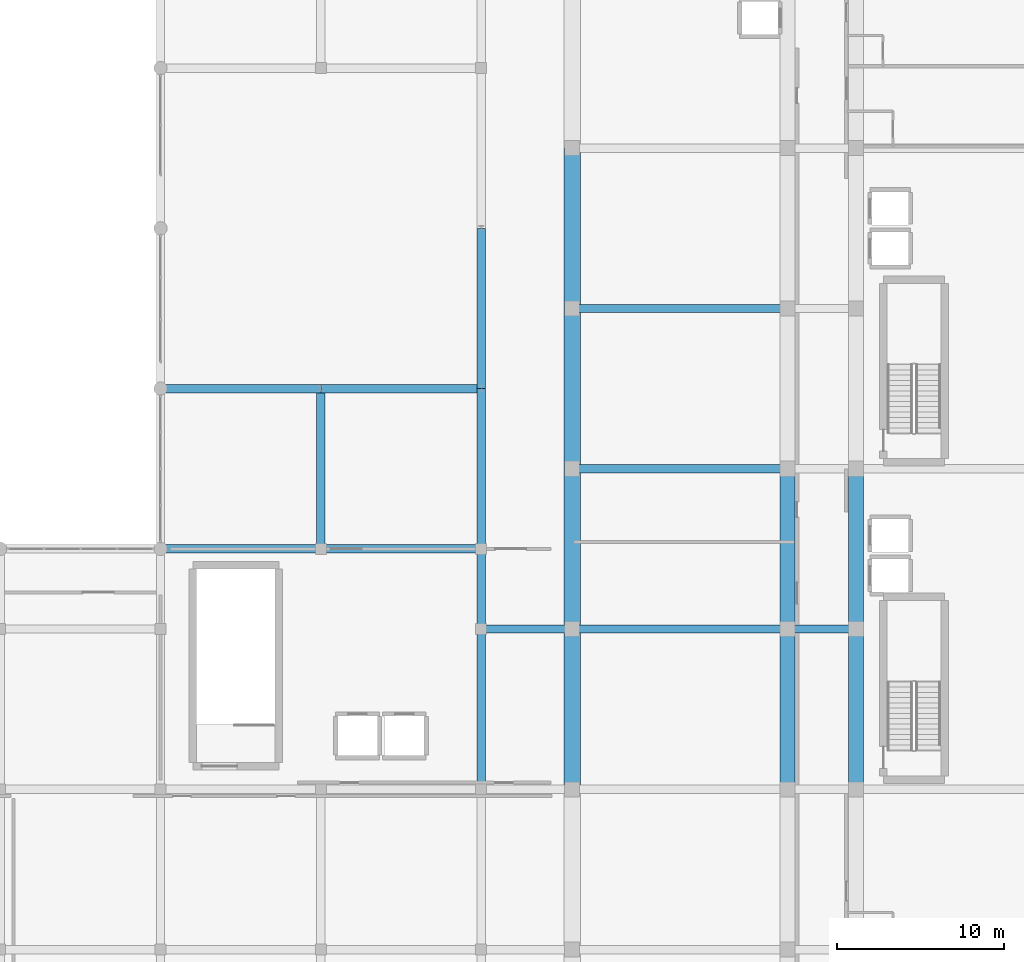
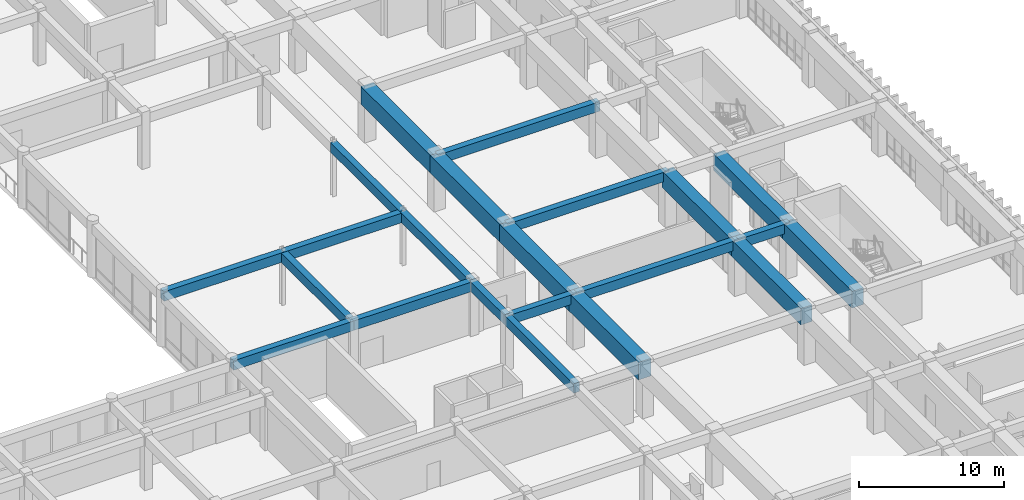
# One storey, part 38 of 101: 22 beams.
"""IFC4 building model written with IfcOpenShell, lengths in metres."""

from ifc_helpers import new_model, si_unit, direction, frame, origin, origin_2d, place, context, subcontext, project, spatial, rectangle, extrude, material, material_profile, profile_set, type_object, element, save


model = new_model("IFC4")

# Units and contexts
model_context = context("Model", 3, precision=1e-05, world=origin(), true_north=direction((0.0, 1.0)))
body_context = subcontext(model_context, "Body", "Model", "MODEL_VIEW")
ifc_project = project(units=[si_unit("LENGTHUNIT", "METRE"), si_unit("AREAUNIT", "SQUARE_METRE"), si_unit("VOLUMEUNIT", "CUBIC_METRE"), si_unit("PLANEANGLEUNIT", "RADIAN"), si_unit("MASSUNIT", "GRAM", prefix="KILO")], contexts=[model_context])

# Site, building, storey
site_placement = place(None, origin())
site = spatial("IfcSite", under=ifc_project, at=site_placement, CompositionType="ELEMENT")
building_placement = place(site_placement, origin())
building = spatial("IfcBuilding", under=site, at=building_placement, Name="Nakhvara Creek Congress Hotel", CompositionType="ELEMENT")
storey_placement = place(building_placement, frame((0.0, 0.0, 16.199951171875)))
storey = spatial("IfcBuildingStorey", under=building, at=storey_placement, Name="L03", CompositionType="ELEMENT", Elevation=16.199951171875)

# Beams
ifc_material_1 = material(Name="Concrete C40/50", Category="concrete")
ifc_material_profile_1 = material_profile(ifc_material_1, rectangle(XDim=0.5, YDim=0.800048828125, at=origin_2d()), Name="RC-BM 500x800", Category="LoadBearing")
ifc_profile_set_1 = profile_set([ifc_material_profile_1], Name="Concrete C40/50")
beam_type_1 = type_object("IfcBeamType", Name="BM-RC-500X800", PredefinedType="BEAM", material=ifc_profile_set_1)
for number, where, z_axis, x_axis, name in (
    (1, (124.800048828125, 43.199951171875, 4.14013671875), (1.0, 0.0, 0.0), (0.0, 1.0, 0.0), "Beam B03-L03-1774"),
    (2, (124.800048828125, 52.800048828125, 4.14013671875), (1.0, 0.0, 0.0), (0.0, 1.0, 0.0), "Beam B03-L03-1776"),
):
    element("IfcBeam", number, at=place(storey_placement, frame(where, z_axis=z_axis, x_axis=x_axis)), inside=storey, type_object=beam_type_1, Name=name, PredefinedType="BEAM", context=body_context, shape_type="SweptSolid", body=[
        extrude(rectangle(XDim=0.5, YDim=0.800048828125, at=origin_2d()), origin(), (0.0, 0.0, 1.0), 9.599853515625),
    ])
for number, where, z_axis, x_axis, name in (
    (3, (134.39990234375, 43.199951171875, 4.14013671875), (0.0, 1.0, 0.0), (-1.0, 0.0, 0.0), "Beam B03-L03-1792"),
    (4, (134.39990234375, 43.199951171875, 4.14013671875), (1.0, 0.0, 0.0), (0.0, 1.0, 0.0), "Beam B03-L03-1793"),
    (5, (134.39990234375, 52.800048828125, 4.14013671875), (1.0, 0.0, 0.0), (0.0, 1.0, 0.0), "Beam B03-L03-1794"),
):
    element("IfcBeam", number, at=place(storey_placement, frame(where, z_axis=z_axis, x_axis=x_axis)), inside=storey, type_object=beam_type_1, Name=name, PredefinedType="BEAM", context=body_context, shape_type="SweptSolid", body=[
        extrude(rectangle(XDim=0.5, YDim=0.800048828125, at=origin_2d()), origin(), (0.0, 0.0, 1.0), 9.60009765625),
    ])
beam_1_placement = place(storey_placement, frame((144.0, 28.800048828125, 4.14013671875), z_axis=(0.0, 1.0, 0.0), x_axis=(-1.0, 0.0, 0.0)))
element("IfcBeam", 6, at=beam_1_placement, inside=storey, type_object=beam_type_1, Name="Beam B03-L03-1807", PredefinedType="BEAM", context=body_context, shape_type="SweptSolid", body=[
    extrude(rectangle(XDim=0.5, YDim=0.800048828125, at=origin_2d()), origin(), (0.0, 0.0, 1.0), 9.599853515625),
])
beam_2_placement = place(storey_placement, frame((144.0, 38.39990234375, 4.14013671875), z_axis=(0.0, 1.0, 0.0), x_axis=(-1.0, 0.0, 0.0)))
element("IfcBeam", 7, at=beam_2_placement, inside=storey, type_object=beam_type_1, Name="Beam B03-L03-1809", PredefinedType="BEAM", context=body_context, shape_type="SweptSolid", body=[
    extrude(rectangle(XDim=0.5, YDim=0.800048828125, at=origin_2d()), origin(), (0.0, 0.0, 1.0), 4.800048828125),
])
beam_3_placement = place(storey_placement, frame((144.0, 38.39990234375, 4.14013671875), z_axis=(1.0, 0.0, 0.0), x_axis=(0.0, 1.0, 0.0)))
element("IfcBeam", 8, at=beam_3_placement, inside=storey, type_object=beam_type_1, Name="Beam B03-L03-1810", PredefinedType="BEAM", context=body_context, shape_type="SweptSolid", body=[
    extrude(rectangle(XDim=0.5, YDim=0.800048828125, at=origin_2d()), origin(), (0.0, 0.0, 1.0), 5.449951171875),
])
beam_4_placement = place(storey_placement, frame((144.0, 43.199951171875, 4.14013671875), z_axis=(0.0, 1.0, 0.0), x_axis=(-1.0, 0.0, 0.0)))
element("IfcBeam", 9, at=beam_4_placement, inside=storey, type_object=beam_type_1, Name="Beam B03-L03-1811", PredefinedType="BEAM", context=body_context, shape_type="SweptSolid", body=[
    extrude(rectangle(XDim=0.5, YDim=0.800048828125, at=origin_2d()), origin(), (0.0, 0.0, 1.0), 9.60009765625),
])
beam_5_placement = place(storey_placement, frame((144.0, 52.800048828125, 4.14013671875), z_axis=(0.0, 1.0, 0.0), x_axis=(-1.0, 0.0, 0.0)))
element("IfcBeam", 10, at=beam_5_placement, inside=storey, type_object=beam_type_1, Name="Beam B03-L03-1812", PredefinedType="BEAM", context=body_context, shape_type="SweptSolid", body=[
    extrude(rectangle(XDim=0.5, YDim=0.800048828125, at=origin_2d()), origin(), (0.0, 0.0, 1.0), 9.599853515625),
])
for number, where, z_axis, x_axis, name in (
    (11, (149.449951171875, 38.39990234375, 4.14013671875), (1.0, 0.0, 0.0), (0.0, 1.0, 0.0), "Beam B03-L03-1828"),
    (12, (149.449951171875, 48.0, 4.14013671875), (1.0, 0.0, 0.0), (0.0, 1.0, 0.0), "Beam B03-L03-1830"),
    (13, (149.449951171875, 57.60009765625, 4.14013671875), (1.0, 0.0, 0.0), (0.0, 1.0, 0.0), "Beam B03-L03-1832"),
):
    element("IfcBeam", number, at=place(storey_placement, frame(where, z_axis=z_axis, x_axis=x_axis)), inside=storey, type_object=beam_type_1, Name=name, PredefinedType="BEAM", context=body_context, shape_type="SweptSolid", body=[
        extrude(rectangle(XDim=0.5, YDim=0.800048828125, at=origin_2d()), origin(), (0.0, 0.0, 1.0), 12.900146484375),
    ])
beam_6_placement = place(storey_placement, frame((162.35009765625, 38.39990234375, 4.14013671875), z_axis=(1.0, 0.0, 0.0), x_axis=(0.0, 1.0, 0.0)))
element("IfcBeam", 14, at=beam_6_placement, inside=storey, type_object=beam_type_1, Name="Beam B03-L03-1853", PredefinedType="BEAM", context=body_context, shape_type="SweptSolid", body=[
    extrude(rectangle(XDim=0.5, YDim=0.800048828125, at=origin_2d()), origin(), (0.0, 0.0, 1.0), 4.099853515625),
])
ifc_material_2 = material(Name="Concrete C50/60", Category="concrete")
ifc_material_profile_2 = material_profile(ifc_material_2, rectangle(XDim=0.89990234375, YDim=1.39990234375, at=origin_2d()), Name="RC-TG 900x1400", Category="LoadBearing")
ifc_profile_set_2 = profile_set([ifc_material_profile_2], Name="Concrete C50/60")
beam_type_2 = type_object("IfcBeamType", Name="BM-TG1-1400", PredefinedType="BEAM", material=ifc_profile_set_2)
beam_7_placement = place(storey_placement, frame((162.35009765625, 28.800048828125, 3.840087890625), z_axis=(0.0, 1.0, 0.0), x_axis=(-1.0, 0.0, 0.0)))
element("IfcBeam", 15, at=beam_7_placement, inside=storey, type_object=beam_type_2, Name="Transfer Girder TG1-L03-1850", PredefinedType="BEAM", context=body_context, shape_type="SweptSolid", body=[
    extrude(rectangle(XDim=0.89990234375, YDim=1.39990234375, at=origin_2d()), origin(), (0.0, 0.0, 1.0), 9.599853515625),
])
beam_8_placement = place(storey_placement, frame((162.35009765625, 38.39990234375, 3.840087890625), z_axis=(0.0, 1.0, 0.0), x_axis=(-1.0, 0.0, 0.0)))
element("IfcBeam", 16, at=beam_8_placement, inside=storey, type_object=beam_type_2, Name="Transfer Girder TG1-L03-1852", PredefinedType="BEAM", context=body_context, shape_type="SweptSolid", body=[
    extrude(rectangle(XDim=0.89990234375, YDim=1.39990234375, at=origin_2d()), origin(), (0.0, 0.0, 1.0), 9.60009765625),
])
beam_9_placement = place(storey_placement, frame((166.449951171875, 28.800048828125, 3.840087890625), z_axis=(0.0, 1.0, 0.0), x_axis=(-1.0, 0.0, 0.0)))
element("IfcBeam", 17, at=beam_9_placement, inside=storey, type_object=beam_type_2, Name="Transfer Girder TG1-L03-1877", PredefinedType="BEAM", context=body_context, shape_type="SweptSolid", body=[
    extrude(rectangle(XDim=0.89990234375, YDim=1.39990234375, at=origin_2d()), origin(), (0.0, 0.0, 1.0), 9.599853515625),
])
beam_10_placement = place(storey_placement, frame((166.449951171875, 38.39990234375, 3.840087890625), z_axis=(0.0, 1.0, 0.0), x_axis=(-1.0, 0.0, 0.0)))
element("IfcBeam", 18, at=beam_10_placement, inside=storey, type_object=beam_type_2, Name="Transfer Girder TG1-L03-1879", PredefinedType="BEAM", context=body_context, shape_type="SweptSolid", body=[
    extrude(rectangle(XDim=0.89990234375, YDim=1.39990234375, at=origin_2d()), origin(), (0.0, 0.0, 1.0), 9.60009765625),
])
ifc_material_profile_3 = material_profile(ifc_material_2, rectangle(XDim=1.0, YDim=1.5, at=origin_2d()), Name="RC-TG 1000x1500", Category="LoadBearing")
ifc_profile_set_3 = profile_set([ifc_material_profile_3], Name="Concrete C50/60")
beam_type_3 = type_object("IfcBeamType", Name="BM-TG2-1500", PredefinedType="BEAM", material=ifc_profile_set_3)
beam_11_placement = place(storey_placement, frame((149.449951171875, 28.800048828125, 3.7900390625), z_axis=(0.0, 1.0, 0.0), x_axis=(-1.0, 0.0, 0.0)))
element("IfcBeam", 19, at=beam_11_placement, inside=storey, type_object=beam_type_3, Name="Transfer Girder TG2-L03-1825", PredefinedType="BEAM", context=body_context, shape_type="SweptSolid", body=[
    extrude(rectangle(XDim=1.0, YDim=1.5, at=origin_2d()), origin(), (0.0, 0.0, 1.0), 9.599853515625),
])
for number, where, z_axis, x_axis, name in (
    (20, (149.449951171875, 38.39990234375, 3.7900390625), (0.0, 1.0, 0.0), (-1.0, 0.0, 0.0), "Transfer Girder TG2-L03-1827"),
    (21, (149.449951171875, 48.0, 3.7900390625), (0.0, 1.0, 0.0), (-1.0, 0.0, 0.0), "Transfer Girder TG2-L03-1829"),
):
    element("IfcBeam", number, at=place(storey_placement, frame(where, z_axis=z_axis, x_axis=x_axis)), inside=storey, type_object=beam_type_3, Name=name, PredefinedType="BEAM", context=body_context, shape_type="SweptSolid", body=[
        extrude(rectangle(XDim=1.0, YDim=1.5, at=origin_2d()), origin(), (0.0, 0.0, 1.0), 9.60009765625),
    ])
beam_12_placement = place(storey_placement, frame((149.449951171875, 57.60009765625, 3.7900390625), z_axis=(0.0, 1.0, 0.0), x_axis=(-1.0, 0.0, 0.0)))
element("IfcBeam", 22, at=beam_12_placement, inside=storey, type_object=beam_type_3, Name="Transfer Girder TG2-L03-1831", PredefinedType="BEAM", context=body_context, shape_type="SweptSolid", body=[
    extrude(rectangle(XDim=1.0, YDim=1.5, at=origin_2d()), origin(), (0.0, 0.0, 1.0), 9.599853515625),
])

save(model, "model.ifc")
